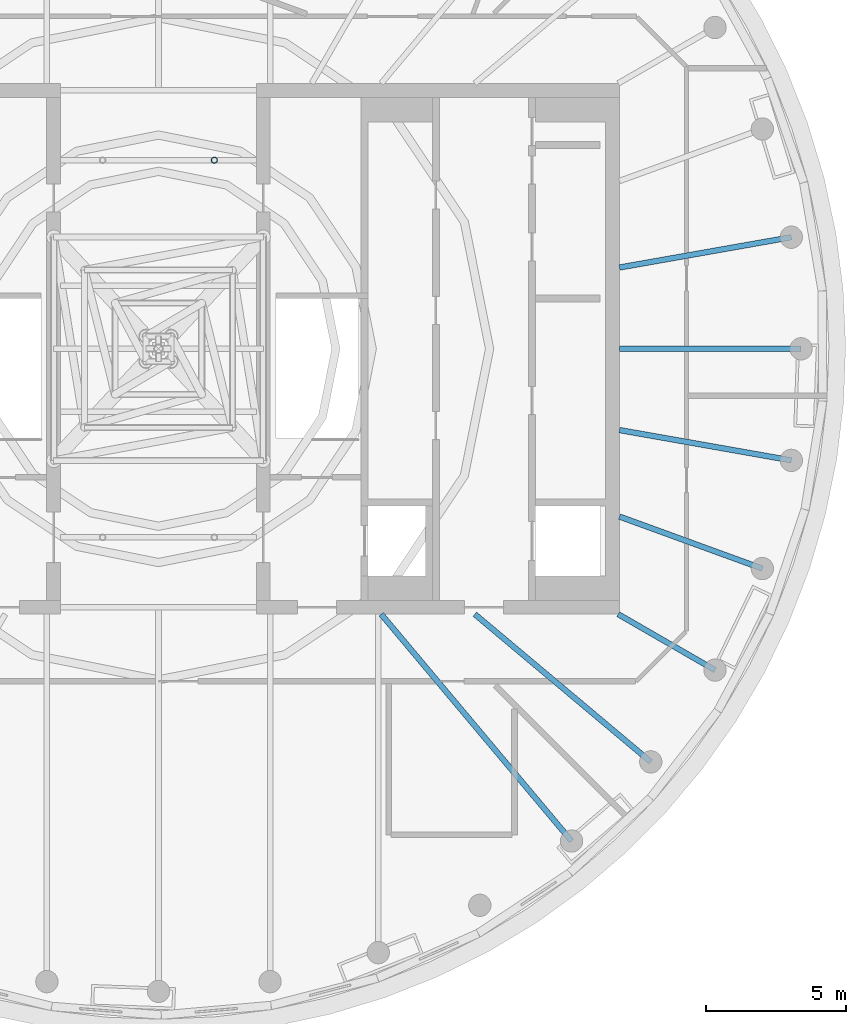
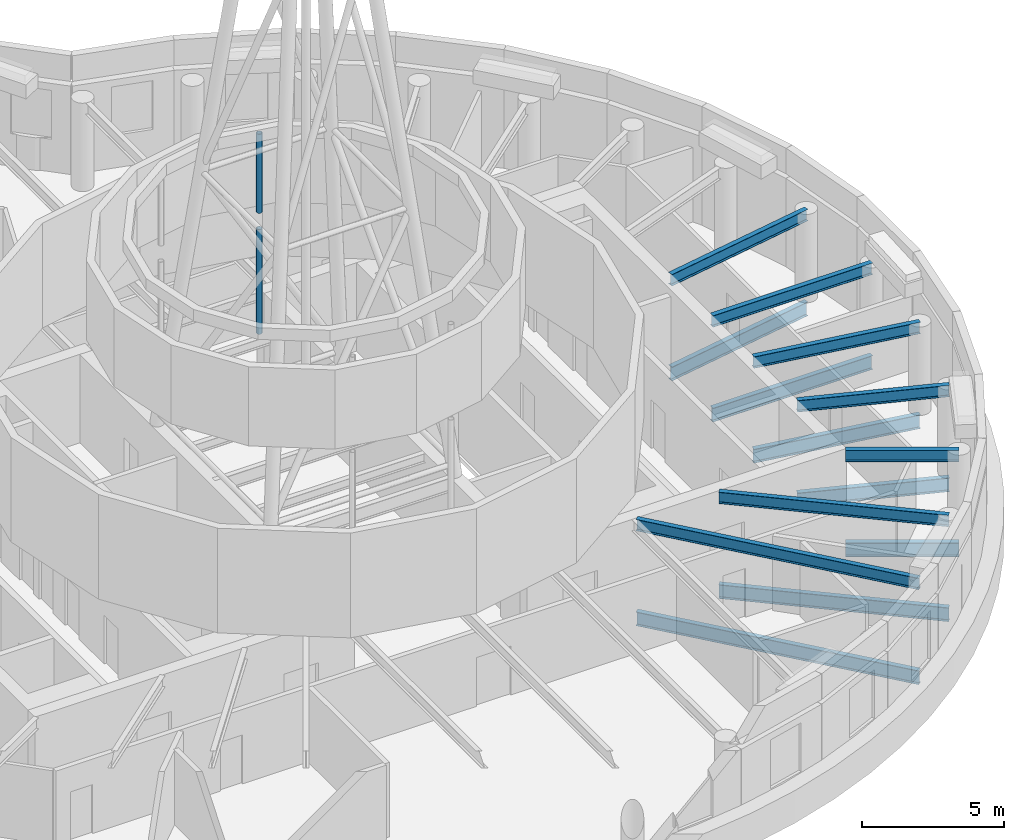
# One storey, part 9 of 17: 14 beams, 2 members.
"""IFC4 building model written with IfcOpenShell, lengths in metres."""

from ifc_helpers import new_model, si_unit, direction, frame, origin, origin_2d, place, context, subcontext, project, spatial, hollow_circle, i_section, extrude, material, material_profile, profile_set, type_object, element, save


model = new_model("IFC4")

# Units and contexts
model_context = context("Model", 3, precision=1e-05, world=origin(), true_north=direction((0.0, 1.0)))
body_context = subcontext(model_context, "Body", "Model", "MODEL_VIEW")
ifc_project = project(units=[si_unit("LENGTHUNIT", "METRE"), si_unit("AREAUNIT", "SQUARE_METRE"), si_unit("VOLUMEUNIT", "CUBIC_METRE"), si_unit("PLANEANGLEUNIT", "RADIAN"), si_unit("MASSUNIT", "GRAM", prefix="KILO")], contexts=[model_context])

# Site, building, storey
site_placement = place(None, origin())
site = spatial("IfcSite", under=ifc_project, at=site_placement, CompositionType="ELEMENT")
building_placement = place(site_placement, origin())
building = spatial("IfcBuilding", under=site, at=building_placement, Name="Tamarind Cross Interchange Tower", CompositionType="ELEMENT")
storey_placement = place(building_placement, frame((0.0, 0.0, 325.39990234375)))
storey = spatial("IfcBuildingStorey", under=building, at=storey_placement, Name="L80", CompositionType="ELEMENT", Elevation=325.39990234375)

# Beams
ifc_material = material(Name="Steel Q355B", Category="steel")
ifc_material_profile_1 = material_profile(ifc_material, i_section(OverallWidth=0.198974609375, OverallDepth=0.49609375, WebThickness=0.009033203125, FlangeThickness=0.013916015625, FilletRadius=0.012939453125, at=origin_2d()), Name="HN 496x199x9x14")
ifc_profile_set_1 = profile_set([ifc_material_profile_1], Name="Steel Q355B")
beam_type_1 = type_object("IfcBeamType", Name="Composite beam HN 496x199x9x14 Q355B", PredefinedType="BEAM", material=ifc_profile_set_1)
beam_1_placement = place(storey_placement, frame((23.0, 0.0, 3.552001953125), z_axis=(-1.0, 0.0, 0.0), x_axis=(0.0, -1.0, 0.0)))
element("IfcBeam", 1, at=beam_1_placement, inside=storey, type_object=beam_type_1, Name="Beam HH00", PredefinedType="BEAM", context=body_context, shape_type="SweptSolid", body=[
    extrude(i_section(OverallWidth=0.198974609375, OverallDepth=0.49609375, WebThickness=0.009033203125, FlangeThickness=0.013916015625, FilletRadius=0.012939453125, at=origin_2d()), origin(), (0.0, 0.0, 1.0), 6.5),
])
beam_2_placement = place(storey_placement, frame((22.650634765625, 3.993896484375, 3.552001953125), z_axis=(-0.984809127561, -0.173640382036, 0.0), x_axis=(0.173640382036, -0.984809127561, 0.0)))
element("IfcBeam", 2, at=beam_2_placement, inside=storey, type_object=beam_type_1, Name="Beam HH01", PredefinedType="BEAM", context=body_context, shape_type="SweptSolid", body=[
    extrude(i_section(OverallWidth=0.198974609375, OverallDepth=0.49609375, WebThickness=0.009033203125, FlangeThickness=0.013916015625, FilletRadius=0.012939453125, at=origin_2d()), origin(), (0.0, 0.0, 1.0), 6.24560546875),
])
beam_3_placement = place(storey_placement, frame((14.7841796875, -17.619140625, 3.552001953125), z_axis=(-0.642786293979, 0.766045547127, 0.0), x_axis=(-0.766045547127, -0.642786293979, 0.0)))
element("IfcBeam", 3, at=beam_3_placement, inside=storey, type_object=beam_type_1, Name="Beam HH31", PredefinedType="BEAM", context=body_context, shape_type="SweptSolid", body=[
    extrude(i_section(OverallWidth=0.198974609375, OverallDepth=0.49609375, WebThickness=0.009033203125, FlangeThickness=0.013916015625, FilletRadius=0.012939453125, at=origin_2d()), origin(), (0.0, 0.0, 1.0), 10.598876953125),
])
beam_4_placement = place(storey_placement, frame((17.619140625, -14.7841796875, 3.552001953125), z_axis=(-0.766040580814, 0.642792212574, 0.0), x_axis=(-0.642792212574, -0.766040580814, 0.0)))
element("IfcBeam", 4, at=beam_4_placement, inside=storey, type_object=beam_type_1, Name="Beam HH32", PredefinedType="BEAM", context=body_context, shape_type="SweptSolid", body=[
    extrude(i_section(OverallWidth=0.198974609375, OverallDepth=0.49609375, WebThickness=0.009033203125, FlangeThickness=0.013916015625, FilletRadius=0.012939453125, at=origin_2d()), origin(), (0.0, 0.0, 1.0), 8.220703125),
])
beam_5_placement = place(storey_placement, frame((19.918701171875, -11.5, 3.552001953125), z_axis=(-0.866026010844, 0.49999894854, 0.0), x_axis=(-0.49999894854, -0.866026010844, 0.0)))
element("IfcBeam", 5, at=beam_5_placement, inside=storey, type_object=beam_type_1, Name="Beam HH33", PredefinedType="BEAM", context=body_context, shape_type="SweptSolid", body=[
    extrude(i_section(OverallWidth=0.198974609375, OverallDepth=0.49609375, WebThickness=0.009033203125, FlangeThickness=0.013916015625, FilletRadius=0.012939453125, at=origin_2d()), origin(), (0.0, 0.0, 1.0), 4.0),
])
beam_6_placement = place(storey_placement, frame((21.613037109375, -7.866455078125, 3.552001953125), z_axis=(-0.939701685589, 0.341995236956, 0.0), x_axis=(-0.341995236956, -0.939701685589, 0.0)))
element("IfcBeam", 6, at=beam_6_placement, inside=storey, type_object=beam_type_1, Name="Beam HH34", PredefinedType="BEAM", context=body_context, shape_type="SweptSolid", body=[
    extrude(i_section(OverallWidth=0.198974609375, OverallDepth=0.49609375, WebThickness=0.009033203125, FlangeThickness=0.013916015625, FilletRadius=0.012939453125, at=origin_2d()), origin(), (0.0, 0.0, 1.0), 5.441162109375),
])
beam_7_placement = place(storey_placement, frame((22.650634765625, -3.993896484375, 3.552001953125), z_axis=(-0.984809127561, 0.173640382036, 0.0), x_axis=(-0.173640382036, -0.984809127561, 0.0)))
element("IfcBeam", 7, at=beam_7_placement, inside=storey, type_object=beam_type_1, Name="Beam HH35", PredefinedType="BEAM", context=body_context, shape_type="SweptSolid", body=[
    extrude(i_section(OverallWidth=0.198974609375, OverallDepth=0.49609375, WebThickness=0.009033203125, FlangeThickness=0.013916015625, FilletRadius=0.012939453125, at=origin_2d()), origin(), (0.0, 0.0, 1.0), 6.24560546875),
])
ifc_material_profile_2 = material_profile(ifc_material, i_section(OverallWidth=0.198974609375, OverallDepth=0.595947265625, WebThickness=0.010009765625, FlangeThickness=0.014892578125, FilletRadius=0.012939453125, at=origin_2d()), Name="HN 596x199x10x15")
ifc_profile_set_2 = profile_set([ifc_material_profile_2], Name="Steel Q355B")
beam_type_2 = type_object("IfcBeamType", Name="Composite beam HN 596x199x10x15 Q355B", PredefinedType="BEAM", material=ifc_profile_set_2)
beam_8_placement = place(storey_placement, frame((23.0, 0.0, -0.477783203125), z_axis=(-1.0, 0.0, 0.0), x_axis=(0.0, -1.0, 0.0)))
element("IfcBeam", 8, at=beam_8_placement, inside=storey, type_object=beam_type_2, Name="Beam HH00", PredefinedType="BEAM", context=body_context, shape_type="SweptSolid", body=[
    extrude(i_section(OverallWidth=0.198974609375, OverallDepth=0.595947265625, WebThickness=0.010009765625, FlangeThickness=0.014892578125, FilletRadius=0.012939453125, at=origin_2d()), origin(), (0.0, 0.0, 1.0), 6.5),
])
beam_9_placement = place(storey_placement, frame((22.650634765625, 3.993896484375, -0.477783203125), z_axis=(-0.984809127561, -0.173640382036, 0.0), x_axis=(0.173640382036, -0.984809127561, 0.0)))
element("IfcBeam", 9, at=beam_9_placement, inside=storey, type_object=beam_type_2, Name="Beam HH01", PredefinedType="BEAM", context=body_context, shape_type="SweptSolid", body=[
    extrude(i_section(OverallWidth=0.198974609375, OverallDepth=0.595947265625, WebThickness=0.010009765625, FlangeThickness=0.014892578125, FilletRadius=0.012939453125, at=origin_2d()), origin(), (0.0, 0.0, 1.0), 6.24560546875),
])
beam_10_placement = place(storey_placement, frame((14.7841796875, -17.619140625, -0.477783203125), z_axis=(-0.642786293979, 0.766045547127, 0.0), x_axis=(-0.766045547127, -0.642786293979, 0.0)))
element("IfcBeam", 10, at=beam_10_placement, inside=storey, type_object=beam_type_2, Name="Beam HH31", PredefinedType="BEAM", context=body_context, shape_type="SweptSolid", body=[
    extrude(i_section(OverallWidth=0.198974609375, OverallDepth=0.595947265625, WebThickness=0.010009765625, FlangeThickness=0.014892578125, FilletRadius=0.012939453125, at=origin_2d()), origin(), (0.0, 0.0, 1.0), 10.598876953125),
])
beam_11_placement = place(storey_placement, frame((17.619140625, -14.7841796875, -0.477783203125), z_axis=(-0.766040580814, 0.642792212574, 0.0), x_axis=(-0.642792212574, -0.766040580814, 0.0)))
element("IfcBeam", 11, at=beam_11_placement, inside=storey, type_object=beam_type_2, Name="Beam HH32", PredefinedType="BEAM", context=body_context, shape_type="SweptSolid", body=[
    extrude(i_section(OverallWidth=0.198974609375, OverallDepth=0.595947265625, WebThickness=0.010009765625, FlangeThickness=0.014892578125, FilletRadius=0.012939453125, at=origin_2d()), origin(), (0.0, 0.0, 1.0), 8.220703125),
])
beam_12_placement = place(storey_placement, frame((19.918701171875, -11.5, -0.477783203125), z_axis=(-0.866026010844, 0.49999894854, 0.0), x_axis=(-0.49999894854, -0.866026010844, 0.0)))
element("IfcBeam", 12, at=beam_12_placement, inside=storey, type_object=beam_type_2, Name="Beam HH33", PredefinedType="BEAM", context=body_context, shape_type="SweptSolid", body=[
    extrude(i_section(OverallWidth=0.198974609375, OverallDepth=0.595947265625, WebThickness=0.010009765625, FlangeThickness=0.014892578125, FilletRadius=0.012939453125, at=origin_2d()), origin(), (0.0, 0.0, 1.0), 4.0),
])
beam_13_placement = place(storey_placement, frame((21.613037109375, -7.866455078125, -0.477783203125), z_axis=(-0.939701685589, 0.341995236956, 0.0), x_axis=(-0.341995236956, -0.939701685589, 0.0)))
element("IfcBeam", 13, at=beam_13_placement, inside=storey, type_object=beam_type_2, Name="Beam HH34", PredefinedType="BEAM", context=body_context, shape_type="SweptSolid", body=[
    extrude(i_section(OverallWidth=0.198974609375, OverallDepth=0.595947265625, WebThickness=0.010009765625, FlangeThickness=0.014892578125, FilletRadius=0.012939453125, at=origin_2d()), origin(), (0.0, 0.0, 1.0), 5.441162109375),
])
beam_14_placement = place(storey_placement, frame((22.650634765625, -3.993896484375, -0.477783203125), z_axis=(-0.984809127561, 0.173640382036, 0.0), x_axis=(-0.173640382036, -0.984809127561, 0.0)))
element("IfcBeam", 14, at=beam_14_placement, inside=storey, type_object=beam_type_2, Name="Beam HH35", PredefinedType="BEAM", context=body_context, shape_type="SweptSolid", body=[
    extrude(i_section(OverallWidth=0.198974609375, OverallDepth=0.595947265625, WebThickness=0.010009765625, FlangeThickness=0.014892578125, FilletRadius=0.012939453125, at=origin_2d()), origin(), (0.0, 0.0, 1.0), 6.24560546875),
])

# Members
ifc_material_profile_3 = material_profile(ifc_material, hollow_circle(Radius=0.109619140625, WallThickness=0.011962890625, at=origin_2d()), Name="CHS 219x12")
ifc_profile_set_3 = profile_set([ifc_material_profile_3], Name="Steel Q355B")
member_type = type_object("IfcMemberType", Name="Lantern post CHS 219x12 Q355B", PredefinedType="POST", material=ifc_profile_set_3)
member_1_placement = place(storey_placement, frame((2.0, 6.75, 4.0), z_axis=(0.0, 0.0, 1.0), x_axis=(1.0, 0.0, 0.0)))
element("IfcMember", 15, at=member_1_placement, inside=storey, type_object=member_type, Name="Lantern post low 1", PredefinedType="POST", context=body_context, shape_type="SweptSolid", body=[
    extrude(hollow_circle(Radius=0.109619140625, WallThickness=0.011962890625, at=origin_2d()), origin(), (0.0, 0.0, 1.0), 4.5),
])
member_2_placement = place(storey_placement, frame((2.0, 6.75, 9.2001953125), z_axis=(0.0, 0.0, 1.0), x_axis=(1.0, 0.0, 0.0)))
element("IfcMember", 16, at=member_2_placement, inside=storey, type_object=member_type, Name="Lantern post up 1", PredefinedType="POST", context=body_context, shape_type="SweptSolid", body=[
    extrude(hollow_circle(Radius=0.109619140625, WallThickness=0.011962890625, at=origin_2d()), origin(), (0.0, 0.0, 1.0), 3.39990234375),
])

save(model, "model.ifc")
